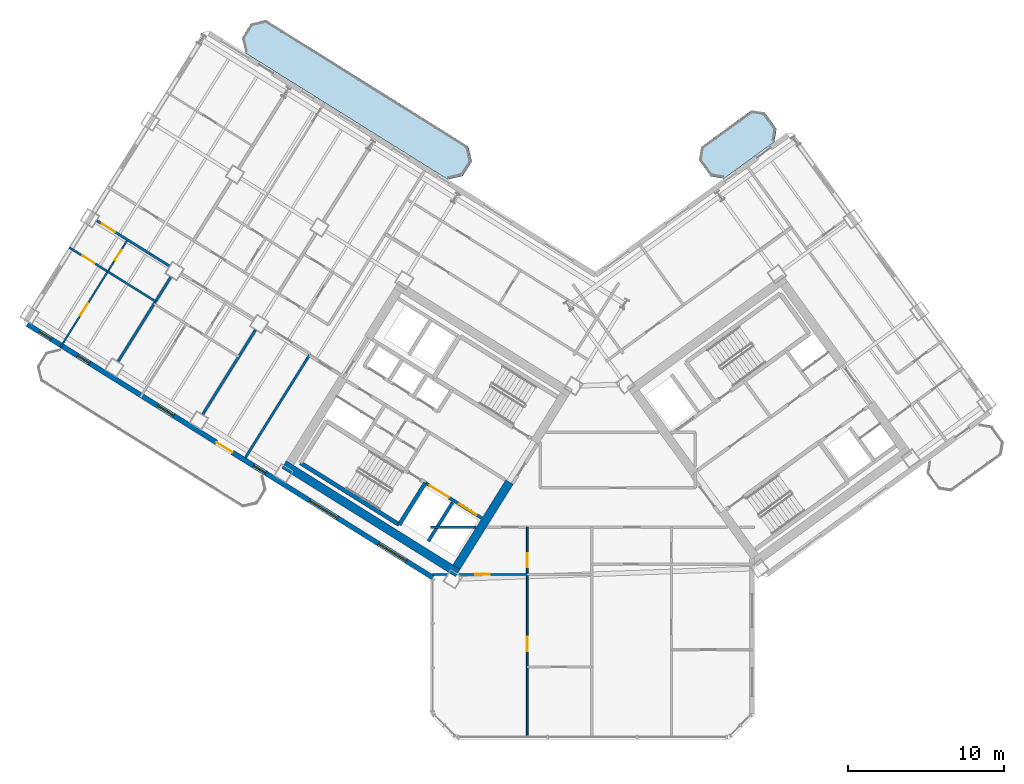
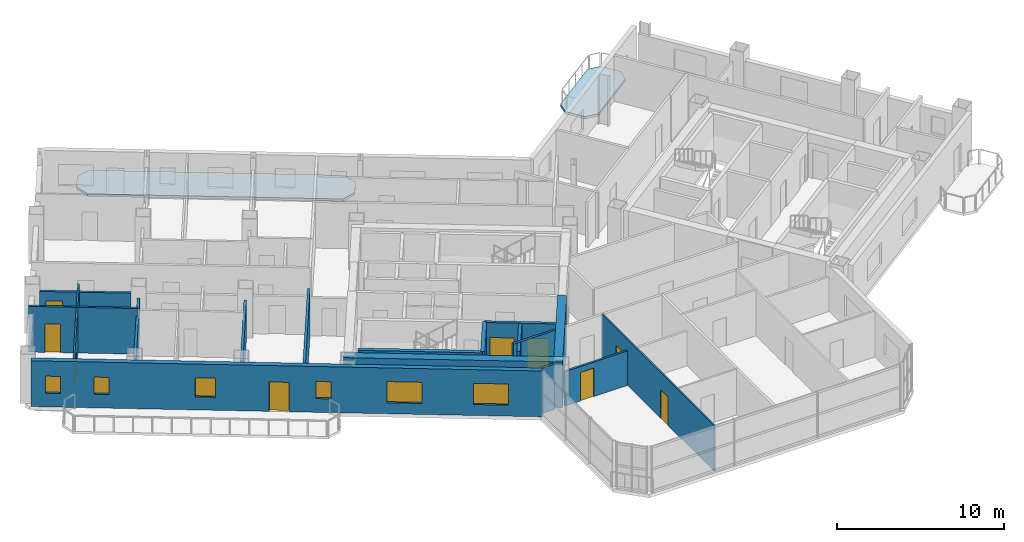
# One storey, part 11 of 20: 18 walls, 10 doors, 6 windows, 2 slabs, 16 openings.
"""IFC4 building model written with IfcOpenShell, lengths in metres."""

from ifc_helpers import new_model, si_unit, direction, frame, frame_2d, origin, place, context, subcontext, project, spatial, polyline, rectangle, outline, extrude, source, transform, mapped, material, layer, layer_set, type_object, element, fill, save


model = new_model("IFC4")

# Units and contexts
model_context = context("Model", 3, precision=1e-05, world=origin(), true_north=direction((0.0, 1.0)))
body_context = subcontext(model_context, "Body", "Model", "MODEL_VIEW")
ifc_project = project(units=[si_unit("LENGTHUNIT", "METRE"), si_unit("AREAUNIT", "SQUARE_METRE"), si_unit("VOLUMEUNIT", "CUBIC_METRE"), si_unit("PLANEANGLEUNIT", "RADIAN"), si_unit("MASSUNIT", "GRAM", prefix="KILO")], contexts=[model_context])

# Site, building, storey
site_placement = place(None, origin())
site = spatial("IfcSite", under=ifc_project, at=site_placement, CompositionType="ELEMENT")
building_placement = place(site_placement, origin())
building = spatial("IfcBuilding", under=site, at=building_placement, Name="Tlacorven Tower", CompositionType="ELEMENT")
storey_placement = place(building_placement, frame((0.0, 0.0, 108.89990234375)))
storey = spatial("IfcBuildingStorey", under=building, at=storey_placement, Name="L27", CompositionType="ELEMENT", Elevation=108.89990234375)

# Slabs
ifc_material_1 = material(Name="Precast concrete C45/55", Category="concrete")
ifc_layer_1 = layer(ifc_material_1, 0.179931640625)
ifc_layer_set_1 = layer_set([ifc_layer_1], Name="Precast concrete C45/55")
slab_type = type_object("IfcSlabType", Name="SL-BAL-180", PredefinedType="USERDEFINED", material=ifc_layer_set_1)
slab_1_placement = place(storey_placement, frame((0.0, 0.0, -0.179931640625)))
element("IfcSlab", 1, at=slab_1_placement, inside=storey, type_object=slab_type, Name="L27 West Wing Balcony Ribbon IN", ObjectType="BALCONY SLAB", PredefinedType="USERDEFINED", context=body_context, shape_type="SweptSolid", body=[
    extrude(outline(polyline([(34.0419921875, 39.835693359375), (21.06689453125, 47.943359375), (20.102294921875, 47.720703125), (19.52197265625, 46.7919921875), (19.744873046875, 45.827392578125), (32.719970703125, 37.7197265625), (33.6845703125, 37.9423828125), (34.2646484375, 38.87109375), (34.0419921875, 39.835693359375)])), origin(), (0.0, 0.0, 1.0), 0.179931640625),
])
slab_2_placement = place(storey_placement, frame((0.0, 0.0, -0.179931640625)))
element("IfcSlab", 2, at=slab_2_placement, inside=storey, type_object=slab_type, Name="L27 East Wing Balcony Ribbon IN", ObjectType="BALCONY SLAB", PredefinedType="USERDEFINED", context=body_context, shape_type="SweptSolid", body=[
    extrude(outline(polyline([(50.433837890625, 37.77880859375), (53.669921875, 40.1298828125), (53.802490234375, 40.968017578125), (53.04150390625, 42.015625), (52.203369140625, 42.1484375), (48.96728515625, 39.79736328125), (48.83447265625, 38.959228515625), (49.595703125, 37.91162109375), (50.433837890625, 37.77880859375)])), origin(), (0.0, 0.0, 1.0), 0.179931640625),
])

# Walls
ifc_material_2 = material(Name="Concrete C60/75", Category="concrete")
ifc_layer_2 = layer(ifc_material_2, 0.550048828125)
ifc_layer_set_2 = layer_set([ifc_layer_2], Name="Concrete C60/75")
wall_type_1 = type_object("IfcWallType", Name="WL-COR-550", PredefinedType="SHEAR", material=ifc_layer_set_2)
wall_1_placement = place(storey_placement, frame((33.3662109375, 12.4765625, 0.0), z_axis=(0.0, 0.0, 1.0), x_axis=(-0.848047359947, 0.529920442413, 0.0)))
element("IfcWall", 3, at=wall_1_placement, inside=storey, type_object=wall_type_1, Name="L27 W core shear wall S2", PredefinedType="SHEAR", context=body_context, shape_type="SweptSolid", body=[
    extrude(rectangle(XDim=13.139892578125, YDim=0.550048828125, at=frame_2d((6.56982421875, 0.0))), origin(), (0.0, 0.0, 1.0), 3.35009765625),
])
wall_2_placement = place(storey_placement, frame((36.683349609375, 18.30419921875, 0.0), z_axis=(0.0, 0.0, 1.0), x_axis=(-0.529896466841, -0.848062341122, 0.0)))
element("IfcWall", 4, at=wall_2_placement, inside=storey, type_object=wall_type_1, Name="L27 W core end wall E1.2", PredefinedType="SHEAR", context=body_context, shape_type="SweptSolid", body=[
    extrude(rectangle(XDim=6.4248046875, YDim=0.550048828125, at=frame_2d((3.21240234375, 0.0))), origin(), (0.0, 0.0, 1.0), 3.35009765625),
])
ifc_material_3 = material(Name="Gypsum plasterboard acoustic partition", Category="gypsum")
ifc_layer_3 = layer(ifc_material_3, 0.159912109375)
ifc_layer_set_3 = layer_set([ifc_layer_3], Name="Gypsum plasterboard acoustic partition")
wall_type_2 = type_object("IfcWallType", Name="WL-DEM-160", PredefinedType="PARTITIONING", material=ifc_layer_set_3)
wall_3_placement = place(storey_placement, frame((23.899169921875, 26.528564453125, 0.0), z_axis=(0.0, 0.0, 1.0), x_axis=(-0.529920662441, -0.848047222457, 0.0)))
element("IfcWall", 5, at=wall_3_placement, inside=storey, type_object=wall_type_2, Name="L27 partition 48", PredefinedType="PARTITIONING", context=body_context, shape_type="SweptSolid", body=[
    extrude(rectangle(XDim=7.85009765625, YDim=0.159912109375, at=frame_2d((3.925048828125, 0.0))), origin(), (0.0, 0.0, 1.0), 3.340087890625),
])

# Wall, opening, door
wall_4_placement = place(storey_placement, frame((14.86572265625, 32.173095703125, 0.0), z_axis=(0.0, 0.0, 1.0), x_axis=(-0.848053401719, 0.529910773464, 0.0)))
wall_4 = element("IfcWall", 6, at=wall_4_placement, inside=storey, type_object=wall_type_2, Name="L27 Wing W Corridor North Wall", PredefinedType="PARTITIONING", context=body_context, shape_type="SweptSolid", body=[
    extrude(rectangle(XDim=5.47607421875, YDim=0.159912109375, at=frame_2d((2.738037109375, 0.0))), origin(), (0.0, 0.0, 1.0), 2.775146484375),
])
opening_1_placement = place(wall_4_placement, frame((4.10791015625, 0.0, 0.0)))
opening_1 = element("IfcOpeningElement", 7, at=opening_1_placement, cuts=wall_4, Name="Opening D11", PredefinedType="OPENING", context=body_context, shape_type="SweptSolid", body=[
    extrude(rectangle(XDim=1.0, YDim=2.10009765625, at=frame_2d((0.5, 1.050048828125))), frame((0.0, 0.08984375, 0.0), z_axis=(0.0, -1.0, 0.0), x_axis=(1.0, 0.0, 0.0)), (0.0, 0.0, 1.0), 0.179931640625),
])
ifc_material_4 = material(Name="Fire-rated steel door assembly", Category="steel")
door_type_1 = type_object("IfcDoorType", Name="DR-FLT-FD60-1000", OperationType="NOTDEFINED", PredefinedType="DOOR", material=ifc_material_4)
shared_shape_1 = source(origin(), body_context, "Body", "SweptSolid", [
    extrude(rectangle(XDim=1.0, YDim=2.10009765625, at=frame_2d((0.5, 1.050048828125))), frame((0.0, 0.02490234375, 0.0), z_axis=(0.0, -1.0, 0.0), x_axis=(1.0, 0.0, 0.0)), (0.0, 0.0, 1.0), 0.050048828125),
])
door_1_placement = place(opening_1_placement, origin())
door_1 = element("IfcDoor", 8, at=door_1_placement, inside=storey, type_object=door_type_1, Name="L27 door 030", OperationType="SINGLE_SWING_LEFT", OverallHeight=2.10009765625, OverallWidth=1.0, PredefinedType="DOOR", context=body_context, shape_type="MappedRepresentation", body=[
    mapped(shared_shape_1, transform((0.0, 0.0, 0.0), scale=1.0)),
])
fill(opening_1, door_1)

# Walls
for number, where, z_axis, x_axis, name in (
    (9, (20.38720703125, 28.060302734375, 0.0), (0.0, 0.0, 1.0), (-0.529902564924, -0.848058530814, 0.0), "L27 WN Demising Wall 1"),
    (10, (14.959716796875, 31.45166015625, 0.0), (0.0, 0.0, 1.0), (-0.529947310719, -0.848030570122, 0.0), "L27 WN Demising Wall 2"),
):
    element("IfcWall", number, at=place(storey_placement, frame(where, z_axis=z_axis, x_axis=x_axis)), inside=storey, type_object=wall_type_2, Name=name, PredefinedType="PARTITIONING", context=body_context, shape_type="SweptSolid", body=[
        extrude(rectangle(XDim=6.3759765625, YDim=0.159912109375, at=frame_2d((3.18798828125, 0.0))), origin(), (0.0, 0.0, 1.0), 2.775146484375),
    ])
wall_5_placement = place(storey_placement, frame((31.60009765625, 15.419921875, 0.0), z_axis=(0.0, 0.0, 1.0), x_axis=(1.0, 0.0, 0.0)))
element("IfcWall", 11, at=wall_5_placement, inside=storey, type_object=wall_type_2, Name="L27 Knuckle Corridor South Wall", PredefinedType="PARTITIONING", context=body_context, shape_type="SweptSolid", body=[
    extrude(rectangle(XDim=2.925048828125, YDim=0.159912109375, at=frame_2d((1.46240234375, 0.0))), origin(), (0.0, 0.0, 1.0), 3.340087890625),
])

# Wall, openings, door, windows
ifc_layer_4 = layer(ifc_material_1, 0.320068359375)
ifc_layer_set_4 = layer_set([ifc_layer_4], Name="Precast concrete C45/55")
wall_type_3 = type_object("IfcWallType", Name="WL-EXT-320", PredefinedType="STANDARD", material=ifc_layer_set_4)
wall_6_placement = place(storey_placement, frame((31.760009765625, 12.18310546875, 0.0), z_axis=(0.0, 0.0, 1.0), x_axis=(-0.848047074256, 0.529920899612, 0.0)))
wall_6 = element("IfcWall", 12, at=wall_6_placement, inside=storey, type_object=wall_type_3, Name="L27 Masonry-Frame Recessed Facade Wall 1", PredefinedType="STANDARD", context=body_context, shape_type="SweptSolid", body=[
    extrude(rectangle(XDim=30.652099609375, YDim=0.320068359375, at=frame_2d((15.326171875, 0.0))), origin(), (0.0, 0.0, 1.0), 3.35009765625),
])
opening_2_placement = place(wall_6_placement, frame((15.1533203125, 0.0, 0.0)))
opening_2 = element("IfcOpeningElement", 13, at=opening_2_placement, cuts=wall_6, Name="Opening D05", PredefinedType="OPENING", context=body_context, shape_type="SweptSolid", body=[
    extrude(rectangle(XDim=1.199951171875, YDim=2.14990234375, at=frame_2d((0.60009765625, 1.074951171875))), frame((0.0, 0.169921875, 0.0), z_axis=(0.0, -1.0, 0.0), x_axis=(1.0, 0.0, 0.0)), (0.0, 0.0, 1.0), 0.340087890625),
])
opening_3_placement = place(wall_6_placement, frame((2.002197265625, 0.0, 0.800048828125)))
opening_3 = element("IfcOpeningElement", 14, at=opening_3_placement, cuts=wall_6, Name="Opening WN04", PredefinedType="OPENING", context=body_context, shape_type="SweptSolid", body=[
    extrude(rectangle(XDim=2.10009765625, YDim=1.550048828125, at=frame_2d((1.050048828125, 0.77490234375))), frame((0.0, 0.169921875, 0.0), z_axis=(0.0, -1.0, 0.0), x_axis=(1.0, 0.0, 0.0)), (0.0, 0.0, 1.0), 0.340087890625),
])
opening_4_placement = place(wall_6_placement, frame((7.206298828125, 0.0, 0.800048828125)))
opening_4 = element("IfcOpeningElement", 15, at=opening_4_placement, cuts=wall_6, Name="Opening WN04", PredefinedType="OPENING", context=body_context, shape_type="SweptSolid", body=[
    extrude(rectangle(XDim=2.10009765625, YDim=1.550048828125, at=frame_2d((1.050048828125, 0.77490234375))), frame((0.0, 0.169921875, 0.0), z_axis=(0.0, -1.0, 0.0), x_axis=(1.0, 0.0, 0.0)), (0.0, 0.0, 1.0), 0.340087890625),
])
opening_5_placement = place(wall_6_placement, frame((12.648193359375, 0.0, 1.0)))
opening_5 = element("IfcOpeningElement", 16, at=opening_5_placement, cuts=wall_6, Name="Opening WN05", PredefinedType="OPENING", context=body_context, shape_type="SweptSolid", body=[
    extrude(rectangle(XDim=0.89990234375, YDim=1.25, at=frame_2d((0.449951171875, 0.625))), frame((0.0, 0.169921875, 0.0), z_axis=(0.0, -1.0, 0.0), x_axis=(1.0, 0.0, 0.0)), (0.0, 0.0, 1.0), 0.340087890625),
])
opening_6_placement = place(wall_6_placement, frame((19.58984375, 0.0, 0.949951171875)))
opening_6 = element("IfcOpeningElement", 17, at=opening_6_placement, cuts=wall_6, Name="Opening WN03", PredefinedType="OPENING", context=body_context, shape_type="SweptSolid", body=[
    extrude(rectangle(XDim=1.199951171875, YDim=1.39990234375, at=frame_2d((0.60009765625, 0.699951171875))), frame((0.0, 0.169921875, 0.0), z_axis=(0.0, -1.0, 0.0), x_axis=(1.0, 0.0, 0.0)), (0.0, 0.0, 1.0), 0.340087890625),
])
opening_7_placement = place(wall_6_placement, frame((25.9658203125, 0.0, 1.0)))
opening_7 = element("IfcOpeningElement", 18, at=opening_7_placement, cuts=wall_6, Name="Opening WN05", PredefinedType="OPENING", context=body_context, shape_type="SweptSolid", body=[
    extrude(rectangle(XDim=0.89990234375, YDim=1.25, at=frame_2d((0.449951171875, 0.625))), frame((0.0, 0.169921875, 0.0), z_axis=(0.0, -1.0, 0.0), x_axis=(1.0, 0.0, 0.0)), (0.0, 0.0, 1.0), 0.340087890625),
])
opening_8_placement = place(wall_6_placement, frame((28.870849609375, 0.0, 1.0)))
opening_8 = element("IfcOpeningElement", 19, at=opening_8_placement, cuts=wall_6, Name="Opening WN05", PredefinedType="OPENING", context=body_context, shape_type="SweptSolid", body=[
    extrude(rectangle(XDim=0.89990234375, YDim=1.25, at=frame_2d((0.449951171875, 0.625))), frame((0.0, 0.169921875, 0.0), z_axis=(0.0, -1.0, 0.0), x_axis=(1.0, 0.0, 0.0)), (0.0, 0.0, 1.0), 0.340087890625),
])
ifc_material_5 = material(Name="Powder-coated aluminium and timber door", Category="wood")
door_type_2 = type_object("IfcDoorType", Name="DR-EXT-BALC-1200", OperationType="NOTDEFINED", PredefinedType="DOOR", material=ifc_material_5)
shared_shape_2 = source(origin(), body_context, "Body", "SweptSolid", [
    extrude(rectangle(XDim=1.199951171875, YDim=2.14990234375, at=frame_2d((0.60009765625, 1.074951171875))), frame((0.0, 0.02490234375, 0.0), z_axis=(0.0, -1.0, 0.0), x_axis=(1.0, 0.0, 0.0)), (0.0, 0.0, 1.0), 0.050048828125),
])
door_2_placement = place(opening_2_placement, origin())
door_2 = element("IfcDoor", 20, at=door_2_placement, inside=storey, type_object=door_type_2, Name="L27 Outdoor Access Door BAL-L27-W-OUT", OperationType="SINGLE_SWING_LEFT", OverallHeight=2.14990234375, OverallWidth=1.199951171875, PredefinedType="DOOR", context=body_context, shape_type="MappedRepresentation", body=[
    mapped(shared_shape_2, transform((0.0, 0.0, 0.0), scale=1.0)),
])
fill(opening_2, door_2)
ifc_material_6 = material(Name="Dark solar low-E double glazing in anodised aluminium frame", Category="aluminium")
window_type_1 = type_object("IfcWindowType", Name="WN-APT-2100X1750", PartitioningType="SINGLE_PANEL", PredefinedType="WINDOW", material=ifc_material_6)
shared_shape_3 = source(origin(), body_context, "Body", "SweptSolid", [
    extrude(rectangle(XDim=2.10009765625, YDim=1.550048828125, at=frame_2d((1.050048828125, 0.77490234375))), frame((0.0, 0.030029296875, 0.0), z_axis=(0.0, -1.0, 0.0), x_axis=(1.0, 0.0, 0.0)), (0.0, 0.0, 1.0), 0.06005859375),
])
window_1_placement = place(opening_3_placement, origin())
window_1 = element("IfcWindow", 21, at=window_1_placement, inside=storey, type_object=window_type_1, Name="L27 Recessed Masonry-Frame Window L27-01.1", OverallHeight=1.550048828125, OverallWidth=2.10009765625, PartitioningType="SINGLE_PANEL", PredefinedType="WINDOW", context=body_context, shape_type="MappedRepresentation", body=[
    mapped(shared_shape_3, transform((0.0, 0.0, 0.0), scale=1.0)),
])
fill(opening_3, window_1)
window_2_placement = place(opening_4_placement, origin())
window_2 = element("IfcWindow", 22, at=window_2_placement, inside=storey, type_object=window_type_1, Name="L27 Recessed Masonry-Frame Window L27-01.2", OverallHeight=1.550048828125, OverallWidth=2.10009765625, PartitioningType="SINGLE_PANEL", PredefinedType="WINDOW", context=body_context, shape_type="MappedRepresentation", body=[
    mapped(shared_shape_3, transform((0.0, 0.0, 0.0), scale=1.0)),
])
fill(opening_4, window_2)
window_type_2 = type_object("IfcWindowType", Name="WN-APT-1200X1500", PartitioningType="SINGLE_PANEL", PredefinedType="WINDOW", material=ifc_material_6)
shared_shape_4 = source(origin(), body_context, "Body", "SweptSolid", [
    extrude(rectangle(XDim=1.199951171875, YDim=1.39990234375, at=frame_2d((0.60009765625, 0.699951171875))), frame((0.0, 0.030029296875, 0.0), z_axis=(0.0, -1.0, 0.0), x_axis=(1.0, 0.0, 0.0)), (0.0, 0.0, 1.0), 0.06005859375),
])
window_3_placement = place(opening_6_placement, origin())
window_3 = element("IfcWindow", 23, at=window_3_placement, inside=storey, type_object=window_type_2, Name="L27 Recessed Masonry-Frame Window L27-01.4", OverallHeight=1.39990234375, OverallWidth=1.199951171875, PartitioningType="SINGLE_PANEL", PredefinedType="WINDOW", context=body_context, shape_type="MappedRepresentation", body=[
    mapped(shared_shape_4, transform((0.0, 0.0, 0.0), scale=1.0)),
])
fill(opening_6, window_3)
window_type_3 = type_object("IfcWindowType", Name="WN-APT-0900X1350", PartitioningType="SINGLE_PANEL", PredefinedType="WINDOW", material=ifc_material_6)
shared_shape_5 = source(origin(), body_context, "Body", "SweptSolid", [
    extrude(rectangle(XDim=0.89990234375, YDim=1.25, at=frame_2d((0.449951171875, 0.625))), frame((0.0, 0.030029296875, 0.0), z_axis=(0.0, -1.0, 0.0), x_axis=(1.0, 0.0, 0.0)), (0.0, 0.0, 1.0), 0.06005859375),
])
window_4_placement = place(opening_5_placement, origin())
window_4 = element("IfcWindow", 24, at=window_4_placement, inside=storey, type_object=window_type_3, Name="L27 Recessed Masonry-Frame Window L27-01.3", OverallHeight=1.25, OverallWidth=0.89990234375, PartitioningType="SINGLE_PANEL", PredefinedType="WINDOW", context=body_context, shape_type="MappedRepresentation", body=[
    mapped(shared_shape_5, transform((0.0, 0.0, 0.0), scale=1.0)),
])
fill(opening_5, window_4)
window_5_placement = place(opening_7_placement, origin())
window_5 = element("IfcWindow", 25, at=window_5_placement, inside=storey, type_object=window_type_3, Name="L27 Recessed Masonry-Frame Window L27-01.5", OverallHeight=1.25, OverallWidth=0.89990234375, PartitioningType="SINGLE_PANEL", PredefinedType="WINDOW", context=body_context, shape_type="MappedRepresentation", body=[
    mapped(shared_shape_5, transform((0.0, 0.0, 0.0), scale=1.0)),
])
fill(opening_7, window_5)
window_6_placement = place(opening_8_placement, origin())
window_6 = element("IfcWindow", 26, at=window_6_placement, inside=storey, type_object=window_type_3, Name="L27 Recessed Masonry-Frame Window L27-01.6", OverallHeight=1.25, OverallWidth=0.89990234375, PartitioningType="SINGLE_PANEL", PredefinedType="WINDOW", context=body_context, shape_type="MappedRepresentation", body=[
    mapped(shared_shape_5, transform((0.0, 0.0, 0.0), scale=1.0)),
])
fill(opening_8, window_6)

# Wall, openings, doors
ifc_material_7 = material(Name="Gypsum plasterboard partition", Category="gypsum")
ifc_layer_5 = layer(ifc_material_7, 0.110107421875)
ifc_layer_set_5 = layer_set([ifc_layer_5], Name="Gypsum plasterboard partition")
wall_type_4 = type_object("IfcWallType", Name="WL-INT-110", PredefinedType="PARTITIONING", material=ifc_layer_set_5)
wall_7_placement = place(storey_placement, frame((12.1875, 33.8466796875, 0.0), z_axis=(0.0, 0.0, 1.0), x_axis=(-0.529917860021, -0.848048973604, 0.0)))
wall_7 = element("IfcWall", 27, at=wall_7_placement, inside=storey, type_object=wall_type_4, Name="L27 partition 57", PredefinedType="PARTITIONING", context=body_context, shape_type="SweptSolid", body=[
    extrude(rectangle(XDim=8.1201171875, YDim=0.110107421875, at=frame_2d((4.06005859375, 0.0))), origin(), (0.0, 0.0, 1.0), 3.340087890625),
])
opening_9_placement = place(wall_7_placement, frame((0.760009765625, 0.0, 0.0)))
opening_9 = element("IfcOpeningElement", 28, at=opening_9_placement, cuts=wall_7, Name="Opening D22", PredefinedType="OPENING", context=body_context, shape_type="SweptSolid", body=[
    extrude(rectangle(XDim=0.780029296875, YDim=2.050048828125, at=frame_2d((0.39013671875, 1.02490234375))), frame((0.0, 0.06494140625, 0.0), z_axis=(0.0, -1.0, 0.0), x_axis=(1.0, 0.0, 0.0)), (0.0, 0.0, 1.0), 0.130126953125),
])
opening_10_placement = place(wall_7_placement, frame((4.800048828125, 0.0, 0.0)))
opening_10 = element("IfcOpeningElement", 29, at=opening_10_placement, cuts=wall_7, Name="Opening D12", PredefinedType="OPENING", context=body_context, shape_type="SweptSolid", body=[
    extrude(rectangle(XDim=0.919921875, YDim=2.080078125, at=frame_2d((0.4599609375, 1.0400390625))), frame((0.0, 0.06494140625, 0.0), z_axis=(0.0, -1.0, 0.0), x_axis=(1.0, 0.0, 0.0)), (0.0, 0.0, 1.0), 0.130126953125),
])
door_type_3 = type_object("IfcDoorType", Name="DR-INT-WET-0780", OperationType="NOTDEFINED", PredefinedType="DOOR", material=ifc_material_5)
shared_shape_6 = source(origin(), body_context, "Body", "SweptSolid", [
    extrude(rectangle(XDim=0.780029296875, YDim=2.050048828125, at=frame_2d((0.39013671875, 1.02490234375))), frame((0.0, 0.02490234375, 0.0), z_axis=(0.0, -1.0, 0.0), x_axis=(1.0, 0.0, 0.0)), (0.0, 0.0, 1.0), 0.050048828125),
])
door_3_placement = place(opening_9_placement, origin())
door_3 = element("IfcDoor", 30, at=door_3_placement, inside=storey, type_object=door_type_3, Name="L27 door 032", OperationType="SINGLE_SWING_RIGHT", OverallHeight=2.050048828125, OverallWidth=0.780029296875, PredefinedType="DOOR", context=body_context, shape_type="MappedRepresentation", body=[
    mapped(shared_shape_6, transform((0.0, 0.0, 0.0), scale=1.0)),
])
fill(opening_9, door_3)
door_type_4 = type_object("IfcDoorType", Name="DR-INT-ROOM-0920", OperationType="NOTDEFINED", PredefinedType="DOOR", material=ifc_material_5)
shared_shape_7 = source(origin(), body_context, "Body", "SweptSolid", [
    extrude(rectangle(XDim=0.919921875, YDim=2.080078125, at=frame_2d((0.4599609375, 1.0400390625))), frame((0.0, 0.02490234375, 0.0), z_axis=(0.0, -1.0, 0.0), x_axis=(1.0, 0.0, 0.0)), (0.0, 0.0, 1.0), 0.050048828125),
])
door_4_placement = place(opening_10_placement, origin())
door_4 = element("IfcDoor", 31, at=door_4_placement, inside=storey, type_object=door_type_4, Name="L27 door 033", OperationType="SINGLE_SWING_LEFT", OverallHeight=2.080078125, OverallWidth=0.919921875, PredefinedType="DOOR", context=body_context, shape_type="MappedRepresentation", body=[
    mapped(shared_shape_7, transform((0.0, 0.0, 0.0), scale=1.0)),
])
fill(opening_10, door_4)

wall_8_placement = place(storey_placement, frame((37.81298828125, 1.9599609375, 0.0), z_axis=(0.0, 0.0, 1.0), x_axis=(0.0, 1.0, 0.0)))
wall_8 = element("IfcWall", 32, at=wall_8_placement, inside=storey, type_object=wall_type_4, Name="L27 partition 81", PredefinedType="PARTITIONING", context=body_context, shape_type="SweptSolid", body=[
    extrude(rectangle(XDim=13.4599609375, YDim=0.110107421875, at=frame_2d((6.72998046875, 0.0))), origin(), (0.0, 0.0, 1.0), 3.340087890625),
])
opening_11_placement = place(wall_8_placement, frame((5.5, 0.0, 0.0)))
opening_11 = element("IfcOpeningElement", 33, at=opening_11_placement, cuts=wall_8, Name="Opening D12", PredefinedType="OPENING", context=body_context, shape_type="SweptSolid", body=[
    extrude(rectangle(XDim=0.919921875, YDim=2.080078125, at=frame_2d((0.4599609375, 1.0400390625))), frame((0.0, 0.06494140625, 0.0), z_axis=(0.0, -1.0, 0.0), x_axis=(1.0, 0.0, 0.0)), (0.0, 0.0, 1.0), 0.130126953125),
])
opening_12_placement = place(wall_8_placement, frame((10.889892578125, 0.0, 0.0)))
opening_12 = element("IfcOpeningElement", 34, at=opening_12_placement, cuts=wall_8, Name="Opening D13", PredefinedType="OPENING", context=body_context, shape_type="SweptSolid", body=[
    extrude(rectangle(XDim=0.8798828125, YDim=2.080078125, at=frame_2d((0.43994140625, 1.0400390625))), frame((0.0, 0.06494140625, 0.0), z_axis=(0.0, -1.0, 0.0), x_axis=(1.0, 0.0, 0.0)), (0.0, 0.0, 1.0), 0.130126953125),
])
door_type_5 = type_object("IfcDoorType", Name="DR-INT-WET-0880", OperationType="NOTDEFINED", PredefinedType="DOOR", material=ifc_material_5)
shared_shape_8 = source(origin(), body_context, "Body", "SweptSolid", [
    extrude(rectangle(XDim=0.8798828125, YDim=2.080078125, at=frame_2d((0.43994140625, 1.0400390625))), frame((0.0, 0.02490234375, 0.0), z_axis=(0.0, -1.0, 0.0), x_axis=(1.0, 0.0, 0.0)), (0.0, 0.0, 1.0), 0.050048828125),
])
door_5_placement = place(opening_12_placement, origin())
door_5 = element("IfcDoor", 35, at=door_5_placement, inside=storey, type_object=door_type_5, Name="L27 door 053", OperationType="SINGLE_SWING_LEFT", OverallHeight=2.080078125, OverallWidth=0.8798828125, PredefinedType="DOOR", context=body_context, shape_type="MappedRepresentation", body=[
    mapped(shared_shape_8, transform((0.0, 0.0, 0.0), scale=1.0)),
])
fill(opening_12, door_5)
door_6_placement = place(opening_11_placement, origin())
door_6 = element("IfcDoor", 36, at=door_6_placement, inside=storey, type_object=door_type_4, Name="L27 door 049", OperationType="SINGLE_SWING_LEFT", OverallHeight=2.080078125, OverallWidth=0.919921875, PredefinedType="DOOR", context=body_context, shape_type="MappedRepresentation", body=[
    mapped(shared_shape_7, transform((0.0, 0.0, 0.0), scale=1.0)),
])
fill(opening_11, door_6)

# Wall, opening, door
ifc_material_8 = material(Name="Moisture-resistant gypsum plumbing wall", Category="gypsum")
ifc_layer_6 = layer(ifc_material_8, 0.139892578125)
ifc_layer_set_6 = layer_set([ifc_layer_6], Name="Moisture-resistant gypsum plumbing wall")
wall_type_5 = type_object("IfcWallType", Name="WL-PLM-140", PredefinedType="PLUMBINGWALL", material=ifc_layer_set_6)
wall_9_placement = place(storey_placement, frame((10.915771484375, 31.811279296875, 0.0), z_axis=(0.0, 0.0, 1.0), x_axis=(-0.84802195137, 0.529961102341, 0.0)))
wall_9 = element("IfcWall", 37, at=wall_9_placement, inside=storey, type_object=wall_type_5, Name="L27 partition 59", PredefinedType="PLUMBINGWALL", context=body_context, shape_type="SweptSolid", body=[
    extrude(rectangle(XDim=2.89990234375, YDim=0.139892578125, at=frame_2d((1.449951171875, 0.0))), origin(), (0.0, 0.0, 1.0), 3.340087890625),
])
opening_13_placement = place(wall_9_placement, frame((0.989990234375, 0.0, 0.0)))
opening_13 = element("IfcOpeningElement", 38, at=opening_13_placement, cuts=wall_9, Name="Opening D12", PredefinedType="OPENING", context=body_context, shape_type="SweptSolid", body=[
    extrude(rectangle(XDim=0.919921875, YDim=2.080078125, at=frame_2d((0.4599609375, 1.0400390625))), frame((0.0, 0.080078125, 0.0), z_axis=(0.0, -1.0, 0.0), x_axis=(1.0, 0.0, 0.0)), (0.0, 0.0, 1.0), 0.159912109375),
])
door_7_placement = place(opening_13_placement, origin())
door_7 = element("IfcDoor", 39, at=door_7_placement, inside=storey, type_object=door_type_4, Name="L27 door 031", OperationType="SINGLE_SWING_LEFT", OverallHeight=2.080078125, OverallWidth=0.919921875, PredefinedType="DOOR", context=body_context, shape_type="MappedRepresentation", body=[
    mapped(shared_shape_7, transform((0.0, 0.0, 0.0), scale=1.0)),
])
fill(opening_13, door_7)

# Walls
wall_10_placement = place(storey_placement, frame((13.985595703125, 29.89306640625, 0.0), z_axis=(0.0, 0.0, 1.0), x_axis=(-0.848051346257, 0.52991406295, 0.0)))
element("IfcWall", 40, at=wall_10_placement, inside=storey, type_object=wall_type_5, Name="L27 partition 60", PredefinedType="PLUMBINGWALL", context=body_context, shape_type="SweptSolid", body=[
    extrude(rectangle(XDim=3.619873046875, YDim=0.139892578125, at=frame_2d((1.81005859375, 0.0))), origin(), (0.0, 0.0, 1.0), 3.340087890625),
])
wall_11_placement = place(storey_placement, frame((31.739990234375, 12.389892578125, 0.0), z_axis=(0.0, 0.0, 1.0), x_axis=(1.0, 0.0, 0.0)))
element("IfcWall", 41, at=wall_11_placement, inside=storey, type_object=wall_type_5, Name="L27 partition 82", PredefinedType="PLUMBINGWALL", context=body_context, shape_type="SweptSolid", body=[
    extrude(rectangle(XDim=0.95068359375, YDim=0.139892578125, at=frame_2d((0.475341796875, 0.0))), origin(), (0.0, 0.0, 1.0), 3.340087890625),
])

# Wall, opening, door
wall_12_placement = place(storey_placement, frame((33.432861328125, 12.389892578125, 0.0), z_axis=(0.0, 0.0, 1.0), x_axis=(1.0, 0.0, 0.0)))
wall_12 = element("IfcWall", 42, at=wall_12_placement, inside=storey, type_object=wall_type_5, Name="L27 partition 82", PredefinedType="PLUMBINGWALL", context=body_context, shape_type="SweptSolid", body=[
    extrude(rectangle(XDim=4.380126953125, YDim=0.139892578125, at=frame_2d((2.18994140625, 0.0))), origin(), (0.0, 0.0, 1.0), 2.525146484375),
])
opening_14_placement = place(wall_12_placement, frame((1.063720703125, 0.0, 0.0)))
opening_14 = element("IfcOpeningElement", 43, at=opening_14_placement, cuts=wall_12, Name="Opening D12", PredefinedType="OPENING", context=body_context, shape_type="SweptSolid", body=[
    extrude(rectangle(XDim=0.919921875, YDim=2.080078125, at=frame_2d((0.4599609375, 1.0400390625))), frame((0.0, 0.080078125, 0.0), z_axis=(0.0, -1.0, 0.0), x_axis=(1.0, 0.0, 0.0)), (0.0, 0.0, 1.0), 0.159912109375),
])
door_8_placement = place(opening_14_placement, frame((0.919921875, 0.0, 0.0), z_axis=(0.0, 0.0, 1.0), x_axis=(-1.0, 0.0, 0.0)))
door_8 = element("IfcDoor", 44, at=door_8_placement, inside=storey, type_object=door_type_4, Name="L27 door 052", OperationType="SINGLE_SWING_RIGHT", OverallHeight=2.080078125, OverallWidth=0.919921875, PredefinedType="DOOR", context=body_context, shape_type="MappedRepresentation", body=[
    mapped(shared_shape_7, transform((0.0, 0.0, 0.0), scale=1.0)),
])
fill(opening_14, door_8)

# Wall, openings, doors
ifc_material_9 = material(Name="Concrete C40/50", Category="concrete")
ifc_layer_7 = layer(ifc_material_9, 0.199951171875)
ifc_layer_set_7 = layer_set([ifc_layer_7], Name="Concrete C40/50")
wall_type_6 = type_object("IfcWallType", Name="WL-SHF-200", PredefinedType="STANDARD", material=ifc_layer_set_7)
wall_13_placement = place(storey_placement, frame((34.890625, 16.0048828125, 0.0), z_axis=(0.0, 0.0, 1.0), x_axis=(-0.848062873452, 0.529895614884, 0.0)))
wall_13 = element("IfcWall", 45, at=wall_13_placement, inside=storey, type_object=wall_type_6, Name="L27 Core W Firefighting Lift Shaft Front Wall", PredefinedType="STANDARD", context=body_context, shape_type="SweptSolid", body=[
    extrude(rectangle(XDim=4.248046875, YDim=0.199951171875, at=frame_2d((2.1240234375, 0.0))), origin(), (0.0, 0.0, 1.0), 3.340087890625),
])
opening_15_placement = place(wall_13_placement, frame((0.39794921875, 0.0, 0.0)))
opening_15 = element("IfcOpeningElement", 46, at=opening_15_placement, cuts=wall_13, Name="Opening LD03", PredefinedType="OPENING", context=body_context, shape_type="SweptSolid", body=[
    extrude(rectangle(XDim=1.300048828125, YDim=2.199951171875, at=frame_2d((0.64990234375, 1.10009765625))), frame((0.0, 0.10986328125, 0.0), z_axis=(0.0, -1.0, 0.0), x_axis=(1.0, 0.0, 0.0)), (0.0, 0.0, 1.0), 0.219970703125),
])
opening_16_placement = place(wall_13_placement, frame((2.472900390625, 0.0, 0.0)))
opening_16 = element("IfcOpeningElement", 47, at=opening_16_placement, cuts=wall_13, Name="Opening LD04", PredefinedType="OPENING", context=body_context, shape_type="SweptSolid", body=[
    extrude(rectangle(XDim=1.449951171875, YDim=2.25, at=frame_2d((0.72509765625, 1.125))), frame((0.0, 0.10986328125, 0.0), z_axis=(0.0, -1.0, 0.0), x_axis=(1.0, 0.0, 0.0)), (0.0, 0.0, 1.0), 0.219970703125),
])
door_type_6 = type_object("IfcDoorType", Name="DR-LFT-SLID-1300", OperationType="DOUBLE_DOOR_SLIDING", PredefinedType="DOOR", material=ifc_material_4)
shared_shape_9 = source(origin(), body_context, "Body", "SweptSolid", [
    extrude(rectangle(XDim=1.300048828125, YDim=2.199951171875, at=frame_2d((0.64990234375, 1.10009765625))), frame((0.0, 0.02490234375, 0.0), z_axis=(0.0, -1.0, 0.0), x_axis=(1.0, 0.0, 0.0)), (0.0, 0.0, 1.0), 0.050048828125),
])
door_9_placement = place(opening_15_placement, origin())
door_9 = element("IfcDoor", 48, at=door_9_placement, inside=storey, type_object=door_type_6, Name="L27 Lift FFL-W1 Sliding Landing Door", OperationType="DOUBLE_DOOR_SLIDING", OverallHeight=2.199951171875, OverallWidth=1.300048828125, PredefinedType="DOOR", context=body_context, shape_type="MappedRepresentation", body=[
    mapped(shared_shape_9, transform((0.0, 0.0, 0.0), scale=1.0)),
])
fill(opening_15, door_9)
door_type_7 = type_object("IfcDoorType", Name="DR-LFT-SLID-1450", OperationType="DOUBLE_DOOR_SLIDING", PredefinedType="DOOR", material=ifc_material_4)
shared_shape_10 = source(origin(), body_context, "Body", "SweptSolid", [
    extrude(rectangle(XDim=1.449951171875, YDim=2.25, at=frame_2d((0.72509765625, 1.125))), frame((0.0, 0.02490234375, 0.0), z_axis=(0.0, -1.0, 0.0), x_axis=(1.0, 0.0, 0.0)), (0.0, 0.0, 1.0), 0.050048828125),
])
door_10_placement = place(opening_16_placement, origin())
door_10 = element("IfcDoor", 49, at=door_10_placement, inside=storey, type_object=door_type_7, Name="L27 Lift SVL-W1 Sliding Landing Door", OperationType="DOUBLE_DOOR_SLIDING", OverallHeight=2.25, OverallWidth=1.449951171875, PredefinedType="DOOR", context=body_context, shape_type="MappedRepresentation", body=[
    mapped(shared_shape_10, transform((0.0, 0.0, 0.0), scale=1.0)),
])
fill(opening_16, door_10)

# Walls
wall_14_placement = place(storey_placement, frame((33.02880859375, 17.003173828125, 0.0), z_axis=(0.0, 0.0, 1.0), x_axis=(-0.529916267533, -0.848049968695, 0.0)))
element("IfcWall", 50, at=wall_14_placement, inside=storey, type_object=wall_type_6, Name="L27 partition 14", PredefinedType="STANDARD", context=body_context, shape_type="SweptSolid", body=[
    extrude(rectangle(XDim=2.919921875, YDim=0.199951171875, at=frame_2d((1.4599609375, 0.0))), origin(), (0.0, 0.0, 1.0), 3.340087890625),
])
ifc_material_10 = material(Name="Concrete C50/60", Category="concrete")
ifc_layer_8 = layer(ifc_material_10, 0.260009765625)
ifc_layer_set_8 = layer_set([ifc_layer_8], Name="Concrete C50/60")
wall_type_7 = type_object("IfcWallType", Name="WL-STW-260", PredefinedType="SHEAR", material=ifc_layer_set_8)
wall_15_placement = place(storey_placement, frame((29.60498046875, 15.581298828125, 0.0), z_axis=(0.0, 0.0, 1.0), x_axis=(-0.848036911448, 0.529937163087, 0.0)))
element("IfcWall", 51, at=wall_15_placement, inside=storey, type_object=wall_type_7, Name="L27 Stair W1 Far Shear Wall", PredefinedType="SHEAR", context=body_context, shape_type="SweptSolid", body=[
    extrude(rectangle(XDim=7.4599609375, YDim=0.260009765625, at=frame_2d((3.72998046875, 0.0))), origin(), (0.0, 0.0, 1.0), 3.35009765625),
])
wall_16_placement = place(storey_placement, frame((31.2880859375, 18.255859375, 0.0), z_axis=(0.0, 0.0, 1.0), x_axis=(-0.529943379326, -0.848033026897, 0.0)))
element("IfcWall", 52, at=wall_16_placement, inside=storey, type_object=wall_type_7, Name="L27 Stair W1 West Shear Wall", PredefinedType="SHEAR", context=body_context, shape_type="SweptSolid", body=[
    extrude(rectangle(XDim=3.159912109375, YDim=0.260009765625, at=frame_2d((1.580078125, 0.0))), origin(), (0.0, 0.0, 1.0), 3.35009765625),
])

save(model, "model.ifc")
